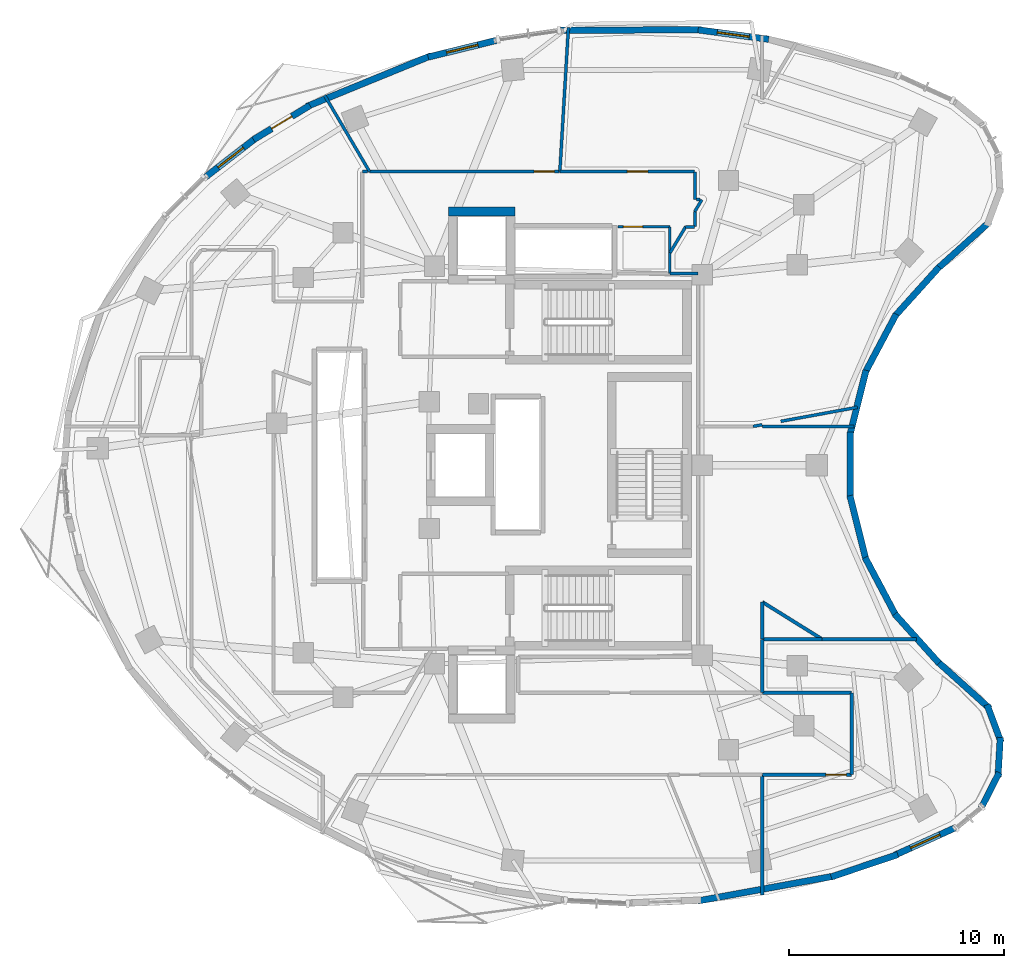
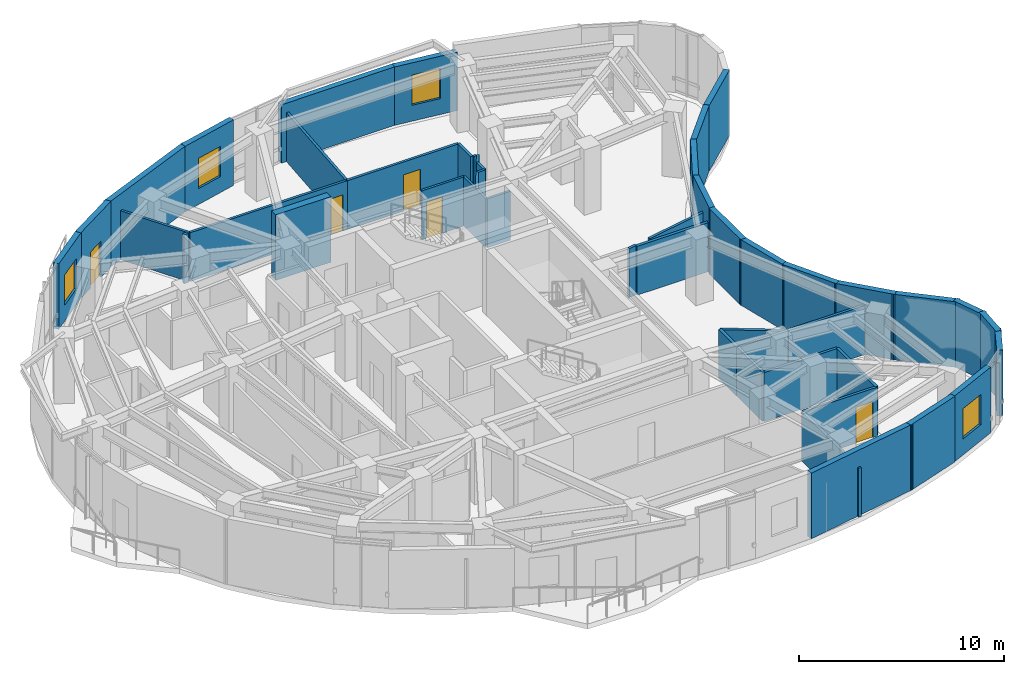
# One storey, part 9 of 13: 48 walls, 5 doors, 4 windows, 9 openings.
"""IFC4 building model written with IfcOpenShell, lengths in metres."""

from ifc_helpers import new_model, si_unit, direction, frame, frame_2d, origin, place, context, subcontext, project, spatial, rectangle, extrude, material, layer, layer_set, type_object, element, fill, save


model = new_model("IFC4")

# Units and contexts
model_context = context("Model", 3, precision=1e-05, world=origin(), true_north=direction((0.0, 1.0)))
body_context = subcontext(model_context, "Body", "Model", "MODEL_VIEW")
ifc_project = project(units=[si_unit("LENGTHUNIT", "METRE"), si_unit("AREAUNIT", "SQUARE_METRE"), si_unit("VOLUMEUNIT", "CUBIC_METRE"), si_unit("PLANEANGLEUNIT", "RADIAN"), si_unit("MASSUNIT", "GRAM", prefix="KILO")], contexts=[model_context])

# Site, building, storey
site_placement = place(None, origin())
site = spatial("IfcSite", under=ifc_project, at=site_placement, CompositionType="ELEMENT")
building_placement = place(site_placement, origin())
building = spatial("IfcBuilding", under=site, at=building_placement, Name="Korentha Bioscience Tower", CompositionType="ELEMENT")
storey_placement = place(building_placement, frame((0.0, 0.0, 192.0)))
storey = spatial("IfcBuildingStorey", under=building, at=storey_placement, Name="L44", CompositionType="ELEMENT", Elevation=192.0)

# Wall, opening, door
ifc_material_1 = material(Name="Double-Stud Acoustic Gypsum", Category="gypsum")
ifc_layer_1 = layer(ifc_material_1, 0.14990234375, Name="Double-Stud Acoustic Gypsum")
ifc_layer_set_1 = layer_set([ifc_layer_1], Name="Double-Stud Acoustic Gypsum (IW-L150)")
wall_type_1 = type_object("IfcWallType", Name="Acoustic Laboratory Partition Wall 150", PredefinedType="PARTITIONING", material=ifc_layer_set_1)
wall_1_placement = place(storey_placement, frame((40.35791015625, 12.590087890625, 0.0), z_axis=(0.0, 0.0, 1.0), x_axis=(1.0, 0.0, 0.0)))
wall_1 = element("IfcWall", 1, at=wall_1_placement, inside=storey, type_object=wall_type_1, Name="L44 Researchers' Wellness Quiet Room 05 Entrance Wall", PredefinedType="PARTITIONING", context=body_context, shape_type="SweptSolid", body=[
    extrude(rectangle(XDim=4.14208984375, YDim=0.14990234375, at=frame_2d((2.071044921875, 0.0))), origin(), (0.0, 0.0, 1.0), 2.909912109375),
])
opening_1_placement = place(wall_1_placement, frame((2.951904296875, 0.0, 0.0)))
opening_1 = element("IfcOpeningElement", 2, at=opening_1_placement, cuts=wall_1, Name="Opening ID-10L", PredefinedType="OPENING", context=body_context, shape_type="SweptSolid", body=[
    extrude(rectangle(XDim=0.949951171875, YDim=2.14990234375, at=frame_2d((0.47509765625, 1.074951171875))), frame((0.0, 0.08984375, 0.0), z_axis=(0.0, -1.0, 0.0), x_axis=(1.0, 0.0, 0.0)), (0.0, 0.0, 1.0), 0.1796875),
])
ifc_material_2 = material(Name="Phenolic Laminate Timber Core", Category="wood")
door_type_1 = type_object("IfcDoorType", Name="Laboratory Single Leaf Door 950x2150 Left", OperationType="SINGLE_SWING_LEFT", PredefinedType="DOOR", material=ifc_material_2)
door_1_placement = place(opening_1_placement, origin())
door_1 = element("IfcDoor", 3, at=door_1_placement, inside=storey, type_object=door_type_1, Name="L44 Researchers' Wellness Quiet Room 05 Door", OperationType="SINGLE_SWING_LEFT", OverallHeight=2.14990234375, OverallWidth=0.949951171875, PredefinedType="DOOR", context=body_context, shape_type="SweptSolid", body=[
    extrude(rectangle(XDim=0.949951171875, YDim=2.14990234375, at=frame_2d((0.47509765625, 1.074951171875))), frame((0.0, 0.02490234375, 0.0), z_axis=(0.0, -1.0, 0.0), x_axis=(1.0, 0.0, 0.0)), (0.0, 0.0, 1.0), 0.050048828125),
])
fill(opening_1, door_1)

# Walls
wall_2_placement = place(storey_placement, frame((40.347900390625, 12.590087890625, 0.0), z_axis=(0.0, 0.0, 1.0), x_axis=(0.0, -1.0, 0.0)))
element("IfcWall", 4, at=wall_2_placement, inside=storey, type_object=wall_type_1, Name="L44 Interior Partition 033", PredefinedType="PARTITIONING", context=body_context, shape_type="SweptSolid", body=[
    extrude(rectangle(XDim=5.5810546875, YDim=0.14990234375, at=frame_2d((2.79052734375, 0.0))), origin(), (0.0, 0.0, 1.0), 2.909912109375),
])
wall_3_placement = place(storey_placement, frame((40.35205078125, 18.89794921875, 0.0), z_axis=(0.0, 0.0, 1.0), x_axis=(1.0, 0.0, 0.0)))
element("IfcWall", 5, at=wall_3_placement, inside=storey, type_object=wall_type_1, Name="L44 Interior Partition 034", PredefinedType="PARTITIONING", context=body_context, shape_type="SweptSolid", body=[
    extrude(rectangle(XDim=2.78076171875, YDim=0.14990234375, at=frame_2d((1.390380859375, 0.0))), origin(), (0.0, 0.0, 1.0), 2.909912109375),
])
wall_4_placement = place(storey_placement, frame((43.140625, 18.89794921875, 0.0), z_axis=(0.0, 0.0, 1.0), x_axis=(1.0, 0.0, 0.0)))
element("IfcWall", 6, at=wall_4_placement, inside=storey, type_object=wall_type_1, Name="L44 Interior Partition 035", PredefinedType="PARTITIONING", context=body_context, shape_type="SweptSolid", body=[
    extrude(rectangle(XDim=4.395263671875, YDim=0.14990234375, at=frame_2d((2.19775390625, 0.0))), origin(), (0.0, 0.0, 1.0), 2.909912109375),
])
wall_5_placement = place(storey_placement, frame((44.510009765625, 12.60009765625, 0.0), z_axis=(0.0, 0.0, 1.0), x_axis=(0.0, 1.0, 0.0)))
element("IfcWall", 7, at=wall_5_placement, inside=storey, type_object=wall_type_1, Name="L44 Interior Partition 036", PredefinedType="PARTITIONING", context=body_context, shape_type="SweptSolid", body=[
    extrude(rectangle(XDim=3.7998046875, YDim=0.14990234375, at=frame_2d((1.89990234375, 0.0))), origin(), (0.0, 0.0, 1.0), 2.909912109375),
])
wall_6_placement = place(storey_placement, frame((44.5, 16.409912109375, 0.0), z_axis=(0.0, 0.0, 1.0), x_axis=(-1.0, 0.0, 0.0)))
element("IfcWall", 8, at=wall_6_placement, inside=storey, type_object=wall_type_1, Name="L44 Interior Partition 037", PredefinedType="PARTITIONING", context=body_context, shape_type="SweptSolid", body=[
    extrude(rectangle(XDim=4.14794921875, YDim=0.14990234375, at=frame_2d((2.073974609375, 0.0))), origin(), (0.0, 0.0, 1.0), 2.909912109375),
])
wall_7_placement = place(storey_placement, frame((40.35205078125, 16.409912109375, 0.0), z_axis=(0.0, 0.0, 1.0), x_axis=(0.0, 1.0, 0.0)))
element("IfcWall", 9, at=wall_7_placement, inside=storey, type_object=wall_type_1, Name="L44 Interior Partition 038", PredefinedType="PARTITIONING", context=body_context, shape_type="SweptSolid", body=[
    extrude(rectangle(XDim=2.488037109375, YDim=0.14990234375, at=frame_2d((1.244140625, 0.0))), origin(), (0.0, 0.0, 1.0), 2.909912109375),
])
wall_8_placement = place(storey_placement, frame((21.99169921875, 40.659912109375, 0.0), z_axis=(0.0, 0.0, 1.0), x_axis=(-1.0, 0.0, 0.0)))
element("IfcWall", 10, at=wall_8_placement, inside=storey, type_object=wall_type_1, Name="L44 Interior Partition 062", PredefinedType="PARTITIONING", context=body_context, shape_type="SweptSolid", body=[
    extrude(rectangle(XDim=0.24169921875, YDim=0.14990234375, at=frame_2d((0.120849609375, 0.0))), origin(), (0.0, 0.0, 1.0), 2.909912109375),
])

# Wall, opening, door
ifc_material_3 = material(Name="Insulated Aluminium Honeycomb Panel", Category="aluminium")
ifc_layer_2 = layer(ifc_material_3, 0.139892578125, Name="Insulated Aluminium Honeycomb Panel")
ifc_layer_set_2 = layer_set([ifc_layer_2], Name="Insulated Aluminium Honeycomb Panel (IW-F60)")
wall_type_2 = type_object("IfcWallType", Name="Cleanroom Flush Metal Panel Partition 140", PredefinedType="PARTITIONING", material=ifc_layer_set_2)
wall_9_placement = place(storey_placement, frame((37.199951171875, 40.659912109375, 0.0), z_axis=(0.0, 0.0, 1.0), x_axis=(-1.0, 0.0, 0.0)))
wall_9 = element("IfcWall", 11, at=wall_9_placement, inside=storey, type_object=wall_type_2, Name="L44 BSL-2 Cell Culture Cleanroom Laboratory 07 Entrance Wall", PredefinedType="PARTITIONING", context=body_context, shape_type="SweptSolid", body=[
    extrude(rectangle(XDim=6.265869140625, YDim=0.139892578125, at=frame_2d((3.1328125, 0.0))), origin(), (0.0, 0.0, 1.0), 2.909912109375),
])
opening_2_placement = place(wall_9_placement, frame((2.173095703125, 0.0, 0.0)))
opening_2 = element("IfcOpeningElement", 12, at=opening_2_placement, cuts=wall_9, Name="Opening ID-10L", PredefinedType="OPENING", context=body_context, shape_type="SweptSolid", body=[
    extrude(rectangle(XDim=0.949951171875, YDim=2.14990234375, at=frame_2d((0.47509765625, 1.074951171875))), frame((0.0, 0.0849609375, 0.0), z_axis=(0.0, -1.0, 0.0), x_axis=(1.0, 0.0, 0.0)), (0.0, 0.0, 1.0), 0.169677734375),
])
door_2_placement = place(opening_2_placement, origin())
door_2 = element("IfcDoor", 13, at=door_2_placement, inside=storey, type_object=door_type_1, Name="L44 BSL-2 Cell Culture Cleanroom Laboratory 07 Door", OperationType="SINGLE_SWING_LEFT", OverallHeight=2.14990234375, OverallWidth=0.949951171875, PredefinedType="DOOR", context=body_context, shape_type="SweptSolid", body=[
    extrude(rectangle(XDim=0.949951171875, YDim=2.14990234375, at=frame_2d((0.47509765625, 1.074951171875))), frame((0.0, 0.02490234375, 0.0), z_axis=(0.0, -1.0, 0.0), x_axis=(1.0, 0.0, 0.0)), (0.0, 0.0, 1.0), 0.050048828125),
])
fill(opening_2, door_2)

wall_10_placement = place(storey_placement, frame((30.924072265625, 40.659912109375, 0.0), z_axis=(0.0, 0.0, 1.0), x_axis=(-1.0, 0.0, 0.0)))
wall_10 = element("IfcWall", 14, at=wall_10_placement, inside=storey, type_object=wall_type_2, Name="L44 Airlock Gowning Anteroom 08 Entrance Wall", PredefinedType="PARTITIONING", context=body_context, shape_type="SweptSolid", body=[
    extrude(rectangle(XDim=8.84765625, YDim=0.139892578125, at=frame_2d((4.423828125, 0.0))), origin(), (0.0, 0.0, 1.0), 2.909912109375),
])
opening_3_placement = place(wall_10_placement, frame((0.239990234375, 0.0, 0.0)))
opening_3 = element("IfcOpeningElement", 15, at=opening_3_placement, cuts=wall_10, Name="Opening ID-10R", PredefinedType="OPENING", context=body_context, shape_type="SweptSolid", body=[
    extrude(rectangle(XDim=0.949951171875, YDim=2.14990234375, at=frame_2d((0.47509765625, 1.074951171875))), frame((0.0, 0.0849609375, 0.0), z_axis=(0.0, -1.0, 0.0), x_axis=(1.0, 0.0, 0.0)), (0.0, 0.0, 1.0), 0.169677734375),
])
door_type_2 = type_object("IfcDoorType", Name="Laboratory Single Leaf Door 950x2150 Right", OperationType="SINGLE_SWING_RIGHT", PredefinedType="DOOR", material=ifc_material_2)
door_3_placement = place(opening_3_placement, origin())
door_3 = element("IfcDoor", 16, at=door_3_placement, inside=storey, type_object=door_type_2, Name="L44 Airlock Gowning Anteroom 08 Door", OperationType="SINGLE_SWING_RIGHT", OverallHeight=2.14990234375, OverallWidth=0.949951171875, PredefinedType="DOOR", context=body_context, shape_type="SweptSolid", body=[
    extrude(rectangle(XDim=0.949951171875, YDim=2.14990234375, at=frame_2d((0.47509765625, 1.074951171875))), frame((0.0, 0.02490234375, 0.0), z_axis=(0.0, -1.0, 0.0), x_axis=(1.0, 0.0, 0.0)), (0.0, 0.0, 1.0), 0.050048828125),
])
fill(opening_3, door_3)

# Walls
wall_11_placement = place(storey_placement, frame((44.777587890625, 29.692138671875, 0.0), z_axis=(0.0, 0.0, 1.0), x_axis=(-0.983576469436, -0.180491907776, 0.0)))
element("IfcWall", 17, at=wall_11_placement, inside=storey, type_object=wall_type_2, Name="L44 Interior Partition 049", PredefinedType="PARTITIONING", context=body_context, shape_type="SweptSolid", body=[
    extrude(rectangle(XDim=3.623779296875, YDim=0.139892578125, at=frame_2d((1.81201171875, 0.0))), origin(), (0.0, 0.0, 1.0), 2.909912109375),
])
wall_12_placement = place(storey_placement, frame((40.347900390625, 28.879150390625, 0.0), z_axis=(0.0, 0.0, 1.0), x_axis=(-0.983557526281, -0.180595106511, 0.0)))
element("IfcWall", 18, at=wall_12_placement, inside=storey, type_object=wall_type_2, Name="L44 Interior Partition 050", PredefinedType="PARTITIONING", context=body_context, shape_type="SweptSolid", body=[
    extrude(rectangle(XDim=0.42724609375, YDim=0.139892578125, at=frame_2d((0.213623046875, 0.0))), origin(), (0.0, 0.0, 1.0), 2.909912109375),
])
wall_13_placement = place(storey_placement, frame((37.35009765625, 35.909912109375, 0.0), z_axis=(0.0, 0.0, 1.0), x_axis=(-1.0, 0.0, 0.0)))
element("IfcWall", 19, at=wall_13_placement, inside=storey, type_object=wall_type_2, Name="L44 Interior Partition 053", PredefinedType="PARTITIONING", context=body_context, shape_type="SweptSolid", body=[
    extrude(rectangle(XDim=1.2900390625, YDim=0.139892578125, at=frame_2d((0.64501953125, 0.0))), origin(), (0.0, 0.0, 1.0), 2.909912109375),
])
wall_14_placement = place(storey_placement, frame((36.06005859375, 36.88134765625, 0.0), z_axis=(0.0, 0.0, 1.0), x_axis=(0.515055765628, 0.857156670798, 0.0)))
element("IfcWall", 20, at=wall_14_placement, inside=storey, type_object=wall_type_2, Name="L44 Interior Partition 054", PredefinedType="PARTITIONING", context=body_context, shape_type="SweptSolid", body=[
    extrude(rectangle(XDim=1.41015625, YDim=0.139892578125, at=frame_2d((0.705078125, 0.0))), origin(), (0.0, 0.0, 1.0), 2.909912109375),
])
wall_15_placement = place(storey_placement, frame((36.786376953125, 38.090087890625, 0.0), z_axis=(0.0, 0.0, 1.0), x_axis=(1.0, 0.0, 0.0)))
element("IfcWall", 21, at=wall_15_placement, inside=storey, type_object=wall_type_2, Name="L44 Interior Partition 055", PredefinedType="PARTITIONING", context=body_context, shape_type="SweptSolid", body=[
    extrude(rectangle(XDim=0.41357421875, YDim=0.139892578125, at=frame_2d((0.206787109375, 0.0))), origin(), (0.0, 0.0, 1.0), 2.909912109375),
])
wall_16_placement = place(storey_placement, frame((37.2099609375, 38.10009765625, 0.0), z_axis=(0.0, 0.0, 1.0), x_axis=(0.0, 1.0, 0.0)))
element("IfcWall", 22, at=wall_16_placement, inside=storey, type_object=wall_type_2, Name="L44 Interior Partition 056", PredefinedType="PARTITIONING", context=body_context, shape_type="SweptSolid", body=[
    extrude(rectangle(XDim=0.695068359375, YDim=0.139892578125, at=frame_2d((0.34765625, 0.0))), origin(), (0.0, 0.0, 1.0), 2.909912109375),
])
wall_17_placement = place(storey_placement, frame((37.2099609375, 38.795166015625, 0.0), z_axis=(0.0, 0.0, 1.0), x_axis=(0.515166038095, 0.857090399662, 0.0)))
element("IfcWall", 23, at=wall_17_placement, inside=storey, type_object=wall_type_2, Name="L44 Interior Partition 057", PredefinedType="PARTITIONING", context=body_context, shape_type="SweptSolid", body=[
    extrude(rectangle(XDim=0.642578125, YDim=0.139892578125, at=frame_2d((0.3212890625, 0.0))), origin(), (0.0, 0.0, 1.0), 2.909912109375),
])
wall_18_placement = place(storey_placement, frame((37.45947265625, 39.35205078125, 0.0), z_axis=(0.0, 0.0, 1.0), x_axis=(-1.0, 0.0, 0.0)))
element("IfcWall", 24, at=wall_18_placement, inside=storey, type_object=wall_type_2, Name="L44 Interior Partition 058", PredefinedType="PARTITIONING", context=body_context, shape_type="SweptSolid", body=[
    extrude(rectangle(XDim=0.176513671875, YDim=0.139892578125, at=frame_2d((0.08837890625, 0.0))), origin(), (0.0, 0.0, 1.0), 2.909912109375),
])
wall_19_placement = place(storey_placement, frame((37.2099609375, 39.35205078125, 0.0), z_axis=(0.0, 0.0, 1.0), x_axis=(0.0, 1.0, 0.0)))
element("IfcWall", 25, at=wall_19_placement, inside=storey, type_object=wall_type_2, Name="L44 Interior Partition 059", PredefinedType="PARTITIONING", context=body_context, shape_type="SweptSolid", body=[
    extrude(rectangle(XDim=1.2978515625, YDim=0.139892578125, at=frame_2d((0.64892578125, 0.0))), origin(), (0.0, 0.0, 1.0), 2.909912109375),
])
wall_20_placement = place(storey_placement, frame((30.93408203125, 40.659912109375, 0.0), z_axis=(0.0, 0.0, 1.0), x_axis=(0.059274468421, 0.998241722928, 0.0)))
element("IfcWall", 26, at=wall_20_placement, inside=storey, type_object=wall_type_2, Name="L44 Interior Partition 060", PredefinedType="PARTITIONING", context=body_context, shape_type="SweptSolid", body=[
    extrude(rectangle(XDim=6.70947265625, YDim=0.139892578125, at=frame_2d((3.354736328125, 0.0))), origin(), (0.0, 0.0, 1.0), 2.909912109375),
])
wall_21_placement = place(storey_placement, frame((22.076416015625, 40.659912109375, 0.0), z_axis=(0.0, 0.0, 1.0), x_axis=(-0.507538873586, 0.86162885966, 0.0)))
element("IfcWall", 27, at=wall_21_placement, inside=storey, type_object=wall_type_2, Name="L44 Interior Partition 061", PredefinedType="PARTITIONING", context=body_context, shape_type="SweptSolid", body=[
    extrude(rectangle(XDim=4.11279296875, YDim=0.139892578125, at=frame_2d((2.056396484375, 0.0))), origin(), (0.0, 0.0, 1.0), 2.909912109375),
])
ifc_material_4 = material(Name="Gypsum-Clad Steel Stud", Category="steel")
ifc_layer_3 = layer(ifc_material_4, 0.159912109375, Name="Gypsum-Clad Steel Stud")
ifc_layer_set_3 = layer_set([ifc_layer_3], Name="Gypsum-Clad Steel Stud (IW-C160)")
wall_type_3 = type_object("IfcWallType", Name="Fire-Rated Corridor Partition Wall 160", PredefinedType="PARTITIONING", material=ifc_layer_set_3)
wall_22_placement = place(storey_placement, frame((40.35205078125, 28.798095703125, 0.0), z_axis=(0.0, 0.0, 1.0), x_axis=(1.0, 0.0, 0.0)))
element("IfcWall", 28, at=wall_22_placement, inside=storey, type_object=wall_type_3, Name="L44 Interior Partition 043", PredefinedType="PARTITIONING", context=body_context, shape_type="SweptSolid", body=[
    extrude(rectangle(XDim=4.2734375, YDim=0.159912109375, at=frame_2d((2.13671875, 0.0))), origin(), (0.0, 0.0, 1.0), 2.909912109375),
])
wall_23_placement = place(storey_placement, frame((43.12451171875, 18.907958984375, 0.0), z_axis=(0.0, 0.0, 1.0), x_axis=(-0.848988734201, 0.528410947274, 0.0)))
element("IfcWall", 29, at=wall_23_placement, inside=storey, type_object=wall_type_3, Name="L44 Interior Partition 044", PredefinedType="PARTITIONING", context=body_context, shape_type="SweptSolid", body=[
    extrude(rectangle(XDim=3.26318359375, YDim=0.159912109375, at=frame_2d((1.631591796875, 0.0))), origin(), (0.0, 0.0, 1.0), 2.909912109375),
])
wall_24_placement = place(storey_placement, frame((40.347900390625, 20.62890625, 0.0), z_axis=(0.0, 0.0, 1.0), x_axis=(0.0, -1.0, 0.0)))
element("IfcWall", 30, at=wall_24_placement, inside=storey, type_object=wall_type_3, Name="L44 Interior Partition 045", PredefinedType="PARTITIONING", context=body_context, shape_type="SweptSolid", body=[
    extrude(rectangle(XDim=1.721923828125, YDim=0.159912109375, at=frame_2d((0.86083984375, 0.0))), origin(), (0.0, 0.0, 1.0), 2.909912109375),
])

# Wall, opening, window
ifc_material_5 = material(Name="Honed Limestone Precast Concrete C40", Category="masonry")
ifc_layer_4 = layer(ifc_material_5, 0.300048828125, Name="Honed Limestone Precast Concrete C40")
ifc_layer_set_4 = layer_set([ifc_layer_4], Name="Honed Limestone Precast Concrete C40 (EW-ST300)")
wall_type_4 = type_object("IfcWallType", Name="Honed Limestone Cavity Spandrel Wall 300", PredefinedType="STANDARD", material=ifc_layer_set_4)
wall_25_placement = place(storey_placement, frame((40.646484375, 46.81201171875, 0.0), z_axis=(0.0, 0.0, 1.0), x_axis=(-0.991139436205, 0.132825517122, 0.0)))
wall_25 = element("IfcWall", 31, at=wall_25_placement, inside=storey, type_object=wall_type_4, Name="L44 Honed Limestone Spandrel Wall 04", PredefinedType="STANDARD", context=body_context, shape_type="SweptSolid", body=[
    extrude(rectangle(XDim=3.310302734375, YDim=0.300048828125, at=frame_2d((1.6552734375, 0.0))), origin(), (0.0, 0.0, 1.0), 3.469970703125),
])
opening_4_placement = place(wall_25_placement, frame((0.9052734375, 0.0, 0.949951171875)))
opening_4 = element("IfcOpeningElement", 32, at=opening_4_placement, cuts=wall_25, Name="Opening WN-02", PredefinedType="OPENING", context=body_context, shape_type="SweptSolid", body=[
    extrude(rectangle(XDim=1.5, YDim=1.800048828125, at=frame_2d((0.75, 0.89990234375))), frame((0.0, 0.1650390625, 0.0), z_axis=(0.0, -1.0, 0.0), x_axis=(1.0, 0.0, 0.0)), (0.0, 0.0, 1.0), 0.329833984375),
])
ifc_material_6 = material(Name="Thermally Broken Aluminium Triple Glazing", Category="aluminium")
window_type = type_object("IfcWindowType", Name="Acoustic Operable Office Window 1500x1800", PartitioningType="DOUBLE_PANEL_VERTICAL", PredefinedType="WINDOW", material=ifc_material_6)
window_1_placement = place(opening_4_placement, origin())
window_1 = element("IfcWindow", 33, at=window_1_placement, inside=storey, type_object=window_type, Name="L44 Facade Window 04", OverallHeight=1.800048828125, OverallWidth=1.5, PartitioningType="DOUBLE_PANEL_VERTICAL", PredefinedType="WINDOW", context=body_context, shape_type="SweptSolid", body=[
    extrude(rectangle(XDim=1.5, YDim=1.800048828125, at=frame_2d((0.75, 0.89990234375))), frame((0.0, 0.030029296875, 0.0), z_axis=(0.0, -1.0, 0.0), x_axis=(1.0, 0.0, 0.0)), (0.0, 0.0, 1.0), 0.06005859375),
])
fill(opening_4, window_1)

wall_26_placement = place(storey_placement, frame((27.981689453125, 46.76171875, 0.0), z_axis=(0.0, 0.0, 1.0), x_axis=(-0.971312804689, -0.237805457142, 0.0)))
wall_26 = element("IfcWall", 34, at=wall_26_placement, inside=storey, type_object=wall_type_4, Name="L44 Honed Limestone Spandrel Wall 08", PredefinedType="STANDARD", context=body_context, shape_type="SweptSolid", body=[
    extrude(rectangle(XDim=3.268798828125, YDim=0.300048828125, at=frame_2d((1.63427734375, 0.0))), origin(), (0.0, 0.0, 1.0), 3.89990234375),
])
opening_5_placement = place(wall_26_placement, frame((0.884521484375, 0.0, 0.949951171875)))
opening_5 = element("IfcOpeningElement", 35, at=opening_5_placement, cuts=wall_26, Name="Opening WN-02", PredefinedType="OPENING", context=body_context, shape_type="SweptSolid", body=[
    extrude(rectangle(XDim=1.5, YDim=1.800048828125, at=frame_2d((0.75, 0.89990234375))), frame((0.0, 0.1650390625, 0.0), z_axis=(0.0, -1.0, 0.0), x_axis=(1.0, 0.0, 0.0)), (0.0, 0.0, 1.0), 0.329833984375),
])
window_2_placement = place(opening_5_placement, origin())
window_2 = element("IfcWindow", 36, at=window_2_placement, inside=storey, type_object=window_type, Name="L44 Facade Window 08", OverallHeight=1.800048828125, OverallWidth=1.5, PartitioningType="DOUBLE_PANEL_VERTICAL", PredefinedType="WINDOW", context=body_context, shape_type="SweptSolid", body=[
    extrude(rectangle(XDim=1.5, YDim=1.800048828125, at=frame_2d((0.75, 0.89990234375))), frame((0.0, 0.030029296875, 0.0), z_axis=(0.0, -1.0, 0.0), x_axis=(1.0, 0.0, 0.0)), (0.0, 0.0, 1.0), 0.06005859375),
])
fill(opening_5, window_2)

# Wall, opening, door
wall_27_placement = place(storey_placement, frame((19.303466796875, 43.736083984375, 0.0), z_axis=(0.0, 0.0, 1.0), x_axis=(-0.85455658592, -0.519358297769, 0.0)))
wall_27 = element("IfcWall", 37, at=wall_27_placement, inside=storey, type_object=wall_type_4, Name="L44 Balcony Threshold Wall 01", PredefinedType="STANDARD", context=body_context, shape_type="SweptSolid", body=[
    extrude(rectangle(XDim=3.06640625, YDim=0.300048828125, at=frame_2d((1.533203125, 0.0))), origin(), (0.0, 0.0, 1.0), 3.89990234375),
])
opening_6_placement = place(wall_27_placement, frame((0.983154296875, 0.0, 0.0)))
opening_6 = element("IfcOpeningElement", 38, at=opening_6_placement, cuts=wall_27, Name="Opening BD-11L", PredefinedType="OPENING", context=body_context, shape_type="SweptSolid", body=[
    extrude(rectangle(XDim=1.10009765625, YDim=2.14990234375, at=frame_2d((0.550048828125, 1.074951171875))), frame((0.0, 0.1650390625, 0.0), z_axis=(0.0, -1.0, 0.0), x_axis=(1.0, 0.0, 0.0)), (0.0, 0.0, 1.0), 0.329833984375),
])
ifc_material_7 = material(Name="Thermally Broken Glazed Aluminium", Category="aluminium")
door_type_3 = type_object("IfcDoorType", Name="Balcony Terrace Glazed Door 1100x2150 Left", OperationType="SINGLE_SWING_LEFT", PredefinedType="DOOR", material=ifc_material_7)
door_4_placement = place(opening_6_placement, origin())
door_4 = element("IfcDoor", 39, at=door_4_placement, inside=storey, type_object=door_type_3, Name="L44 Balcony Access Door 01", OperationType="SINGLE_SWING_LEFT", OverallHeight=2.14990234375, OverallWidth=1.10009765625, PredefinedType="DOOR", context=body_context, shape_type="SweptSolid", body=[
    extrude(rectangle(XDim=1.10009765625, YDim=2.14990234375, at=frame_2d((0.550048828125, 1.074951171875))), frame((0.0, 0.02490234375, 0.0), z_axis=(0.0, -1.0, 0.0), x_axis=(1.0, 0.0, 0.0)), (0.0, 0.0, 1.0), 0.050048828125),
])
fill(opening_6, door_4)

# Wall, opening, window
wall_28_placement = place(storey_placement, frame((16.796630859375, 42.2216796875, 0.0), z_axis=(0.0, 0.0, 1.0), x_axis=(-0.790541990178, -0.612407839406, 0.0)))
wall_28 = element("IfcWall", 40, at=wall_28_placement, inside=storey, type_object=wall_type_4, Name="L44 Honed Limestone Spandrel Wall 12", PredefinedType="STANDARD", context=body_context, shape_type="SweptSolid", body=[
    extrude(rectangle(XDim=2.9794921875, YDim=0.300048828125, at=frame_2d((1.48974609375, 0.0))), origin(), (0.0, 0.0, 1.0), 3.89990234375),
])
opening_7_placement = place(wall_28_placement, frame((0.739990234375, 0.0, 0.949951171875)))
opening_7 = element("IfcOpeningElement", 41, at=opening_7_placement, cuts=wall_28, Name="Opening WN-02", PredefinedType="OPENING", context=body_context, shape_type="SweptSolid", body=[
    extrude(rectangle(XDim=1.5, YDim=1.800048828125, at=frame_2d((0.75, 0.89990234375))), frame((0.0, 0.1650390625, 0.0), z_axis=(0.0, -1.0, 0.0), x_axis=(1.0, 0.0, 0.0)), (0.0, 0.0, 1.0), 0.329833984375),
])
window_3_placement = place(opening_7_placement, origin())
window_3 = element("IfcWindow", 42, at=window_3_placement, inside=storey, type_object=window_type, Name="L44 Facade Window 12", OverallHeight=1.800048828125, OverallWidth=1.5, PartitioningType="DOUBLE_PANEL_VERTICAL", PredefinedType="WINDOW", context=body_context, shape_type="SweptSolid", body=[
    extrude(rectangle(XDim=1.5, YDim=1.800048828125, at=frame_2d((0.75, 0.89990234375))), frame((0.0, 0.030029296875, 0.0), z_axis=(0.0, -1.0, 0.0), x_axis=(1.0, 0.0, 0.0)), (0.0, 0.0, 1.0), 0.06005859375),
])
fill(opening_7, window_3)

wall_29_placement = place(storey_placement, frame((46.50048828125, 8.844970703125, 0.0), z_axis=(0.0, 0.0, 1.0), x_axis=(0.910644509231, 0.413190728124, 0.0)))
wall_29 = element("IfcWall", 43, at=wall_29_placement, inside=storey, type_object=wall_type_4, Name="L44 Honed Limestone Spandrel Wall 36", PredefinedType="STANDARD", context=body_context, shape_type="SweptSolid", body=[
    extrude(rectangle(XDim=3.1552734375, YDim=0.300048828125, at=frame_2d((1.57763671875, 0.0))), origin(), (0.0, 0.0, 1.0), 3.89990234375),
])
opening_8_placement = place(wall_29_placement, frame((0.82763671875, 0.0, 0.949951171875)))
opening_8 = element("IfcOpeningElement", 44, at=opening_8_placement, cuts=wall_29, Name="Opening WN-02", PredefinedType="OPENING", context=body_context, shape_type="SweptSolid", body=[
    extrude(rectangle(XDim=1.5, YDim=1.800048828125, at=frame_2d((0.75, 0.89990234375))), frame((0.0, 0.1650390625, 0.0), z_axis=(0.0, -1.0, 0.0), x_axis=(1.0, 0.0, 0.0)), (0.0, 0.0, 1.0), 0.329833984375),
])
window_4_placement = place(opening_8_placement, origin())
window_4 = element("IfcWindow", 45, at=window_4_placement, inside=storey, type_object=window_type, Name="L44 Facade Window 36", OverallHeight=1.800048828125, OverallWidth=1.5, PartitioningType="DOUBLE_PANEL_VERTICAL", PredefinedType="WINDOW", context=body_context, shape_type="SweptSolid", body=[
    extrude(rectangle(XDim=1.5, YDim=1.800048828125, at=frame_2d((0.75, 0.89990234375))), frame((0.0, 0.030029296875, 0.0), z_axis=(0.0, -1.0, 0.0), x_axis=(1.0, 0.0, 0.0)), (0.0, 0.0, 1.0), 0.06005859375),
])
fill(opening_8, window_4)

# Walls
wall_30_placement = place(storey_placement, frame((37.52685546875, 47.2626953125, 0.0), z_axis=(0.0, 0.0, 1.0), x_axis=(-0.999982312698, -0.005947629086, 0.0)))
element("IfcWall", 46, at=wall_30_placement, inside=storey, type_object=wall_type_4, Name="L44 Limestone Perimeter Closure Wall 05", PredefinedType="STANDARD", context=body_context, shape_type="SweptSolid", body=[
    extrude(rectangle(XDim=6.567626953125, YDim=0.300048828125, at=frame_2d((3.28369140625, 0.0))), origin(), (0.0, 0.0, 1.0), 3.469970703125),
])
wall_31_placement = place(storey_placement, frame((24.953857421875, 46.0546875, 0.0), z_axis=(0.0, 0.0, 1.0), x_axis=(-0.925664098805, -0.378346370648, 0.0)))
element("IfcWall", 47, at=wall_31_placement, inside=storey, type_object=wall_type_4, Name="L44 Limestone Perimeter Closure Wall 09", PredefinedType="STANDARD", context=body_context, shape_type="SweptSolid", body=[
    extrude(rectangle(XDim=6.272216796875, YDim=0.300048828125, at=frame_2d((3.13623046875, 0.0))), origin(), (0.0, 0.0, 1.0), 3.89990234375),
])
wall_32_placement = place(storey_placement, frame((37.34228515625, 6.72119140625, 0.0), z_axis=(0.0, 0.0, 1.0), x_axis=(0.983808533342, 0.179222681945, 0.0)))
element("IfcWall", 48, at=wall_32_placement, inside=storey, type_object=wall_type_4, Name="L44 Limestone Perimeter Closure Wall 33", PredefinedType="STANDARD", context=body_context, shape_type="SweptSolid", body=[
    extrude(rectangle(XDim=6.497802734375, YDim=0.300048828125, at=frame_2d((3.2490234375, 0.0))), origin(), (0.0, 0.0, 1.0), 3.89990234375),
])
wall_33_placement = place(storey_placement, frame((43.560791015625, 7.8408203125, 0.0), z_axis=(0.0, 0.0, 1.0), x_axis=(0.947683163779, 0.319212501462, 0.0)))
element("IfcWall", 49, at=wall_33_placement, inside=storey, type_object=wall_type_4, Name="L44 Limestone Perimeter Closure Wall 35", PredefinedType="STANDARD", context=body_context, shape_type="SweptSolid", body=[
    extrude(rectangle(XDim=3.261962890625, YDim=0.300048828125, at=frame_2d((1.630859375, 0.0))), origin(), (0.0, 0.0, 1.0), 3.89990234375),
])
for number, where, z_axis, x_axis, name in (
    (50, (50.533935546875, 11.041259765625, 0.0), (0.0, 0.0, 1.0), (0.454214122486, 0.890892547356, 0.0), "L44 Limestone Perimeter Closure Wall 38"),
    (51, (51.319091796875, 12.484375, 0.0), (0.0, 0.0, 1.0), (0.057485341891, 0.998346350455, 0.0), "L44 Limestone Perimeter Closure Wall 39"),
    (52, (51.45751953125, 14.121337890625, 0.0), (0.0, 0.0, 1.0), (-0.348984166898, 0.937128620443, 0.0), "L44 Limestone Perimeter Closure Wall 40"),
):
    element("IfcWall", number, at=place(storey_placement, frame(where, z_axis=z_axis, x_axis=x_axis)), inside=storey, type_object=wall_type_4, Name=name, PredefinedType="STANDARD", context=body_context, shape_type="SweptSolid", body=[
        extrude(rectangle(XDim=1.851806640625, YDim=0.300048828125, at=frame_2d((0.92578125, 0.0))), origin(), (0.0, 0.0, 1.0), 3.89990234375),
    ])
wall_34_placement = place(storey_placement, frame((50.936279296875, 15.6728515625, 0.0), z_axis=(0.0, 0.0, 1.0), x_axis=(-0.743341827472, 0.668911748687, 0.0)))
element("IfcWall", 53, at=wall_34_placement, inside=storey, type_object=wall_type_4, Name="L44 Limestone Perimeter Closure Wall 41", PredefinedType="STANDARD", context=body_context, shape_type="SweptSolid", body=[
    extrude(rectangle(XDim=3.3095703125, YDim=0.300048828125, at=frame_2d((1.65478515625, 0.0))), origin(), (0.0, 0.0, 1.0), 3.89990234375),
])
for number, where, z_axis, x_axis, name in (
    (54, (48.57861328125, 17.7841796875, 0.0), (0.0, 0.0, 1.0), (-0.669165704933, 0.743113221079, 0.0), "L44 Limestone Perimeter Closure Wall 43"),
    (55, (46.58447265625, 19.975830078125, 0.0), (0.0, 0.0, 1.0), (-0.469471310295, 0.882947727111, 0.0), "L44 Limestone Perimeter Closure Wall 45"),
    (56, (45.179931640625, 22.585205078125, 0.0), (0.0, 0.0, 1.0), (-0.241940068914, 0.970291194979, 0.0), "L44 Limestone Perimeter Closure Wall 47"),
    (57, (44.448486328125, 25.45654296875, 0.0), (0.0, 0.0, 1.0), (0.0, 1.0, 0.0), "L44 Limestone Perimeter Closure Wall 49"),
    (58, (44.43310546875, 28.419677734375, 0.0), (0.0, 0.0, 1.0), (0.241940068914, 0.970291194979, 0.0), "L44 Limestone Perimeter Closure Wall 51"),
    (59, (45.13525390625, 31.298583984375, 0.0), (0.0, 0.0, 1.0), (0.469471310295, 0.882947727111, 0.0), "L44 Limestone Perimeter Closure Wall 53"),
    (60, (46.512939453125, 33.921875, 0.0), (0.0, 0.0, 1.0), (0.669165704933, 0.743113221079, 0.0), "L44 Limestone Perimeter Closure Wall 55"),
):
    element("IfcWall", number, at=place(storey_placement, frame(where, z_axis=z_axis, x_axis=x_axis)), inside=storey, type_object=wall_type_4, Name=name, PredefinedType="STANDARD", context=body_context, shape_type="SweptSolid", body=[
        extrude(rectangle(XDim=3.0869140625, YDim=0.300048828125, at=frame_2d((1.54345703125, 0.0))), origin(), (0.0, 0.0, 1.0), 3.89990234375),
    ])
wall_35_placement = place(storey_placement, frame((48.47607421875, 36.11328125, 0.0), z_axis=(0.0, 0.0, 1.0), x_axis=(0.743341827472, 0.668911748687, 0.0)))
element("IfcWall", 61, at=wall_35_placement, inside=storey, type_object=wall_type_4, Name="L44 Limestone Perimeter Closure Wall 57", PredefinedType="STANDARD", context=body_context, shape_type="SweptSolid", body=[
    extrude(rectangle(XDim=3.3095703125, YDim=0.300048828125, at=frame_2d((1.65478515625, 0.0))), origin(), (0.0, 0.0, 1.0), 3.89990234375),
])
ifc_material_8 = material(Name="Concrete C65", Category="concrete")
ifc_layer_5 = layer(ifc_material_8, 0.39990234375, Name="Concrete C65")
ifc_layer_set_5 = layer_set([ifc_layer_5], Name="Concrete C65 (CW-C65)")
wall_type_5 = type_object("IfcWallType", Name="Mid-Rise Core Shear Wall 400", PredefinedType="SHEAR", material=ifc_layer_set_5)
wall_36_placement = place(storey_placement, frame((25.75, 38.800048828125, 0.0), z_axis=(0.0, 0.0, 1.0), x_axis=(1.0, 0.0, 0.0)))
element("IfcWall", 62, at=wall_36_placement, inside=storey, type_object=wall_type_5, Name="L44 Core Shear Wall FFL2-N", PredefinedType="SHEAR", context=body_context, shape_type="SweptSolid", body=[
    extrude(rectangle(XDim=3.10009765625, YDim=0.39990234375, at=frame_2d((1.550048828125, 0.0))), origin(), (0.0, 0.0, 1.0), 3.89990234375),
])

# Wall, opening, door
ifc_material_9 = material(Name="Cement-Board Steel Stud", Category="steel")
ifc_layer_6 = layer(ifc_material_9, 0.1298828125, Name="Cement-Board Steel Stud")
ifc_layer_set_6 = layer_set([ifc_layer_6], Name="Cement-Board Steel Stud (IW-W130)")
wall_type_6 = type_object("IfcWallType", Name="Wet-Area Moisture-Resistant Partition 130", PredefinedType="PARTITIONING", material=ifc_layer_set_6)
wall_37_placement = place(storey_placement, frame((33.64990234375, 38.090087890625, 0.0), z_axis=(0.0, 0.0, 1.0), x_axis=(1.0, 0.0, 0.0)))
wall_37 = element("IfcWall", 63, at=wall_37_placement, inside=storey, type_object=wall_type_6, Name="L44 Accessible Staff WC Entrance Wall", PredefinedType="PARTITIONING", context=body_context, shape_type="SweptSolid", body=[
    extrude(rectangle(XDim=2.400146484375, YDim=0.1298828125, at=frame_2d((1.2001953125, 0.0))), origin(), (0.0, 0.0, 1.0), 2.909912109375),
])
opening_9_placement = place(wall_37_placement, frame((0.239990234375, 0.0, 0.0)))
opening_9 = element("IfcOpeningElement", 64, at=opening_9_placement, cuts=wall_37, Name="Opening ID-09L", PredefinedType="OPENING", context=body_context, shape_type="SweptSolid", body=[
    extrude(rectangle(XDim=0.89990234375, YDim=2.14990234375, at=frame_2d((0.449951171875, 1.074951171875))), frame((0.0, 0.079833984375, 0.0), z_axis=(0.0, -1.0, 0.0), x_axis=(1.0, 0.0, 0.0)), (0.0, 0.0, 1.0), 0.15966796875),
])
ifc_material_10 = material(Name="Moisture-Resistant HPL Leaf", Category="wood")
door_type_4 = type_object("IfcDoorType", Name="Restroom & Accessible WC Door 900x2150 Left", OperationType="SINGLE_SWING_LEFT", PredefinedType="DOOR", material=ifc_material_10)
door_5_placement = place(opening_9_placement, origin())
door_5 = element("IfcDoor", 65, at=door_5_placement, inside=storey, type_object=door_type_4, Name="L44 Accessible Staff WC Door", OperationType="SINGLE_SWING_LEFT", OverallHeight=2.14990234375, OverallWidth=0.89990234375, PredefinedType="DOOR", context=body_context, shape_type="SweptSolid", body=[
    extrude(rectangle(XDim=0.89990234375, YDim=2.14990234375, at=frame_2d((0.449951171875, 1.074951171875))), frame((0.0, 0.02490234375, 0.0), z_axis=(0.0, -1.0, 0.0), x_axis=(1.0, 0.0, 0.0)), (0.0, 0.0, 1.0), 0.050048828125),
])
fill(opening_9, door_5)

# Wall
wall_38_placement = place(storey_placement, frame((36.050048828125, 38.090087890625, 0.0), z_axis=(0.0, 0.0, 1.0), x_axis=(0.0, -1.0, 0.0)))
element("IfcWall", 66, at=wall_38_placement, inside=storey, type_object=wall_type_6, Name="L44 Interior Partition 013", PredefinedType="PARTITIONING", context=body_context, shape_type="SweptSolid", body=[
    extrude(rectangle(XDim=2.18017578125, YDim=0.1298828125, at=frame_2d((1.090087890625, 0.0))), origin(), (0.0, 0.0, 1.0), 2.909912109375),
])

save(model, "model.ifc")
